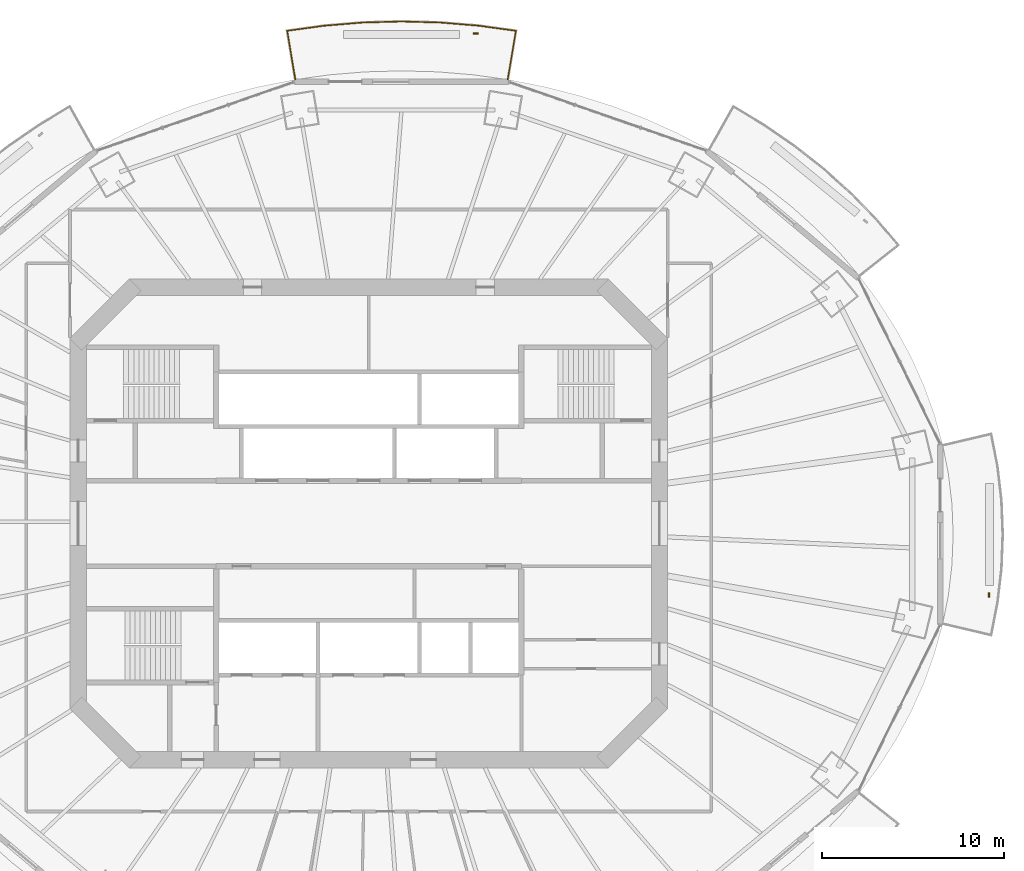
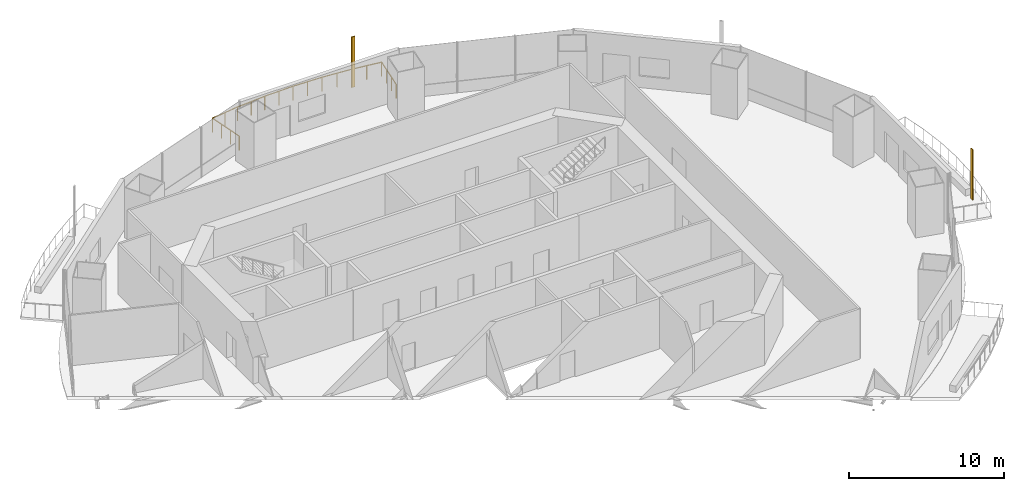
# One storey, part 18 of 19: 2 shading devices, 1 railing.
"""IFC4 building model written with IfcOpenShell, lengths in metres."""

from ifc_helpers import new_model, si_unit, direction, frame, origin, origin_2d, place, context, subcontext, project, spatial, rectangle, circle, extrude, material, material_profile, profile_set, type_object, element, save


model = new_model("IFC4")

# Units and contexts
model_context = context("Model", 3, precision=1e-05, world=origin(), true_north=direction((0.0, 1.0)))
body_context = subcontext(model_context, "Body", "Model", "MODEL_VIEW")
ifc_project = project(units=[si_unit("LENGTHUNIT", "METRE"), si_unit("AREAUNIT", "SQUARE_METRE"), si_unit("VOLUMEUNIT", "CUBIC_METRE"), si_unit("PLANEANGLEUNIT", "RADIAN"), si_unit("MASSUNIT", "GRAM", prefix="KILO")], contexts=[model_context])

# Site, building, storey
site_placement = place(None, origin())
site = spatial("IfcSite", under=ifc_project, at=site_placement, CompositionType="ELEMENT")
building_placement = place(site_placement, origin())
building = spatial("IfcBuilding", under=site, at=building_placement, Name="Marenthal Gate Tower", CompositionType="ELEMENT")
storey_placement = place(building_placement, frame((0.0, 0.0, 235.75)))
storey = spatial("IfcBuildingStorey", under=building, at=storey_placement, Name="L52", CompositionType="ELEMENT", Elevation=235.75)

# Railing
ifc_material_1 = material(Name="Stainless steel", Category="steel")
railing_type = type_object("IfcRailingType", Name="Balcony guard 1100", PredefinedType="GUARDRAIL", material=ifc_material_1)
railing_placement = place(storey_placement, frame((-4.044921875, 24.44189453125, 0.0)))
element("IfcRailing", 1, at=railing_placement, inside=storey, type_object=railing_type, Name="Balcony guard L52 bay 4", PredefinedType="GUARDRAIL", context=body_context, shape_type="SweptSolid", body=[
    extrude(circle(Radius=0.02392578125, at=origin_2d()), frame((0.0, 0.0, 1.076171875), z_axis=(-0.165050627973, 0.986175258386, -0.014719033707), x_axis=(-0.986282103159, -0.165068509984, 0.0)), (0.0, 0.0, 1.0), 2.72021484375),
    extrude(circle(Radius=0.02392578125, at=origin_2d()), frame((-0.448974609375, 2.6826171875, 1.0361328125), z_axis=(0.990644458779, 0.136468151191, 0.0), x_axis=(-0.136468151191, 0.990644458779, 0.0)), (0.0, 0.0, 1.0), 2.05029296875),
    extrude(circle(Radius=0.02392578125, at=origin_2d()), frame((1.58203125, 2.96240234375, 1.0361328125), z_axis=(0.996593709479, 0.082468043674, 0.0), x_axis=(-0.082468043674, 0.996593709479, 0.0)), (0.0, 0.0, 1.0), 2.134521484375),
    extrude(circle(Radius=0.02392578125, at=origin_2d()), frame((3.709228515625, 3.138427734375, 1.0361328125), z_axis=(0.999623877025, 0.027424523375, 0.0), x_axis=(-0.027424523375, 0.999623877025, 0.0)), (0.0, 0.0, 1.0), 2.136474609375),
    extrude(circle(Radius=0.02392578125, at=origin_2d()), frame((5.844970703125, 3.197021484375, 1.0361328125), z_axis=(0.999623877025, -0.027424523375, 0.0), x_axis=(0.027424523375, 0.999623877025, 0.0)), (0.0, 0.0, 1.0), 2.136474609375),
    extrude(circle(Radius=0.02392578125, at=origin_2d()), frame((7.980712890625, 3.138427734375, 1.0361328125), z_axis=(0.996592931449, -0.082477445314, 0.0), x_axis=(0.082477445314, 0.996592931449, 0.0)), (0.0, 0.0, 1.0), 2.13427734375),
    extrude(circle(Radius=0.02392578125, at=origin_2d()), frame((10.107666015625, 2.96240234375, 1.0361328125), z_axis=(0.990644458779, -0.136468151191, 0.0), x_axis=(0.136468151191, 0.990644458779, 0.0)), (0.0, 0.0, 1.0), 2.05029296875),
    extrude(circle(Radius=0.02392578125, at=origin_2d()), frame((12.138671875, 2.6826171875, 1.0361328125), z_axis=(-0.164963320777, -0.986189863276, 0.014719251691), x_axis=(0.986296712796, -0.164981193859, 0.0)), (0.0, 0.0, 1.0), 2.72021484375),
    extrude(circle(Radius=0.02099609375, at=origin_2d()), origin(), (0.0, 0.0, 1.0), 1.052001953125),
    extrude(circle(Radius=0.02099609375, at=origin_2d()), frame((-0.149658203125, 0.894287109375, -0.013427734375)), (0.0, 0.0, 1.0), 1.052001953125),
    extrude(circle(Radius=0.02099609375, at=origin_2d()), frame((-0.29931640625, 1.788330078125, -0.026611328125)), (0.0, 0.0, 1.0), 1.052001953125),
    extrude(circle(Radius=0.02099609375, at=origin_2d()), frame((-0.448974609375, 2.6826171875, -0.0400390625)), (0.0, 0.0, 1.0), 1.052001953125),
    extrude(circle(Radius=0.02099609375, at=origin_2d()), frame((0.56640625, 2.822509765625, -0.0400390625)), (0.0, 0.0, 1.0), 1.052001953125),
    extrude(circle(Radius=0.02099609375, at=origin_2d()), frame((1.58203125, 2.96240234375, -0.0400390625)), (0.0, 0.0, 1.0), 1.052001953125),
    extrude(circle(Radius=0.02099609375, at=origin_2d()), frame((2.6455078125, 3.05029296875, -0.0400390625)), (0.0, 0.0, 1.0), 1.052001953125),
    extrude(circle(Radius=0.02099609375, at=origin_2d()), frame((3.709228515625, 3.138427734375, -0.0400390625)), (0.0, 0.0, 1.0), 1.052001953125),
    extrude(circle(Radius=0.02099609375, at=origin_2d()), frame((4.777099609375, 3.167724609375, -0.0400390625)), (0.0, 0.0, 1.0), 1.052001953125),
    extrude(circle(Radius=0.02099609375, at=origin_2d()), frame((5.844970703125, 3.197021484375, -0.0400390625)), (0.0, 0.0, 1.0), 1.052001953125),
    extrude(circle(Radius=0.02099609375, at=origin_2d()), frame((6.912841796875, 3.167724609375, -0.0400390625)), (0.0, 0.0, 1.0), 1.052001953125),
    extrude(circle(Radius=0.02099609375, at=origin_2d()), frame((7.980712890625, 3.138427734375, -0.0400390625)), (0.0, 0.0, 1.0), 1.052001953125),
    extrude(circle(Radius=0.02099609375, at=origin_2d()), frame((9.044189453125, 3.05029296875, -0.0400390625)), (0.0, 0.0, 1.0), 1.052001953125),
    extrude(circle(Radius=0.02099609375, at=origin_2d()), frame((10.107666015625, 2.96240234375, -0.0400390625)), (0.0, 0.0, 1.0), 1.052001953125),
    extrude(circle(Radius=0.02099609375, at=origin_2d()), frame((11.123046875, 2.822509765625, -0.0400390625)), (0.0, 0.0, 1.0), 1.052001953125),
    extrude(circle(Radius=0.02099609375, at=origin_2d()), frame((12.138671875, 2.6826171875, -0.0400390625)), (0.0, 0.0, 1.0), 1.052001953125),
    extrude(circle(Radius=0.02099609375, at=origin_2d()), frame((11.989013671875, 1.788330078125, -0.026611328125)), (0.0, 0.0, 1.0), 1.052001953125),
    extrude(circle(Radius=0.02099609375, at=origin_2d()), frame((11.839599609375, 0.894287109375, -0.013427734375)), (0.0, 0.0, 1.0), 1.052001953125),
    extrude(circle(Radius=0.02099609375, at=origin_2d()), frame((11.68994140625, 0.0, 0.0)), (0.0, 0.0, 1.0), 1.052001953125),
])

# Shading devices
ifc_material_2 = material(Name="Terracotta", Category="masonry")
ifc_material_profile = material_profile(ifc_material_2, rectangle(XDim=0.25, YDim=0.080078125, at=origin_2d()), Name="Terracotta baguette 250x80")
ifc_profile_set = profile_set([ifc_material_profile], Name="Terracotta")
shading_device_type = type_object("IfcShadingDeviceType", Name="Terracotta BAGUETTE SCREEN 250x80", PredefinedType="USERDEFINED", material=ifc_profile_set)
for number, where, z_axis, x_axis, name in (
    (2, (5.885498046875, 26.964111328125, -0.0400390625), (0.0, 0.0, 1.0), (-1.0, 0.0, 0.0), "Terracotta BAGUETTE L52 bay 4L"),
    (3, (34.133056640625, -3.92333984375, -0.0400390625), (0.0, 0.0, 1.0), (0.0, 1.0, 0.0), "Terracotta BAGUETTE L52 bay 16L"),
):
    element("IfcShadingDevice", number, at=place(storey_placement, frame(where, z_axis=z_axis, x_axis=x_axis)), inside=storey, type_object=shading_device_type, Name=name, ObjectType="BAGUETTE SCREEN", PredefinedType="USERDEFINED", context=body_context, shape_type="SweptSolid", body=[
        extrude(rectangle(XDim=0.25, YDim=0.080078125, at=origin_2d()), origin(), (0.0, 0.0, 1.0), 3.969970703125),
    ])

save(model, "model.ifc")
